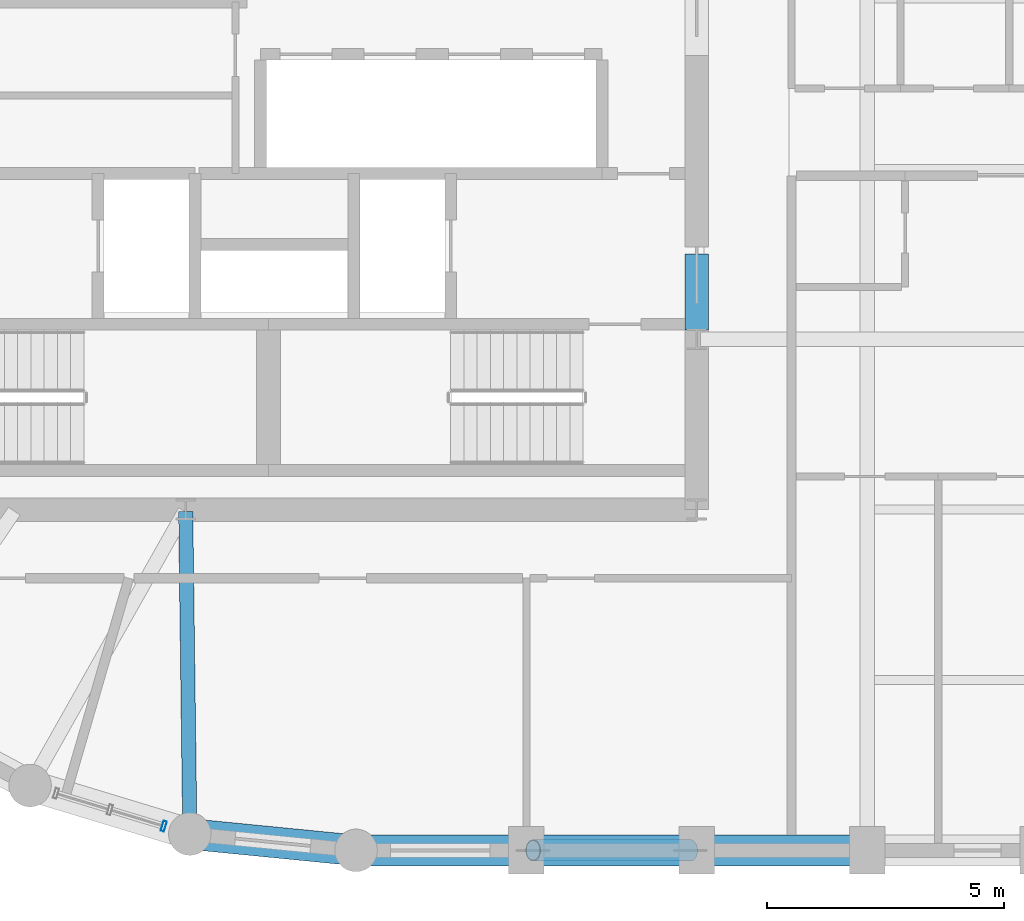
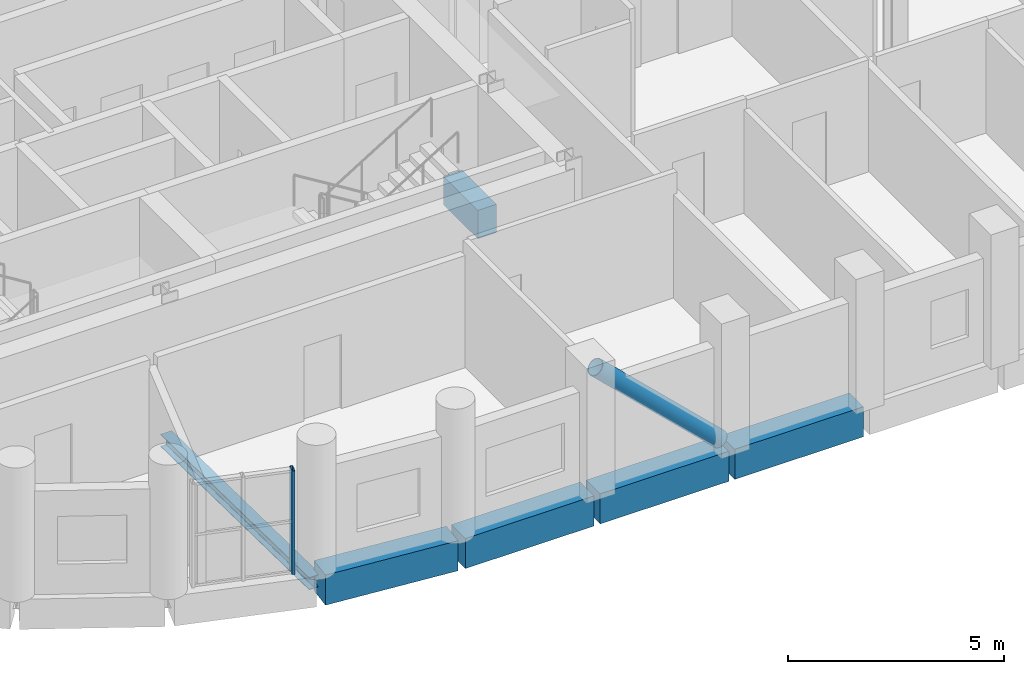
# One storey, part 4 of 15: 6 beams, 2 members, 1 element without a shape of its own.
"""IFC4 building model written with IfcOpenShell, lengths in metres."""

import ifcopenshell
import ifcopenshell.guid

model = None  # the IFC model being written
_history = None  # IfcOwnerHistory: only IFC2X3 demands one
_inside = {}  # id of a spatial element -> (the spatial element, [elements in it])
_under = {}  # id of a project, library or spatial element -> (it, [spatial elements below it])
_declared = {}  # id of a project -> (the project, [libraries it declares])
_typed = {}  # id of a type object -> (the type object, [elements of that type])
_made_of = {}  # id of a material, layer set ... -> (it, [elements and type objects made of it])


def new_model(schema):
    """Start an empty IFC model of exactly this schema.

    Asked for "IFC4X3", IfcOpenShell would pick the latest addendum, in which some entities
    have other attributes; the version numbers below select the first issue.
    IFC2X3 requires an IfcOwnerHistory on every rooted entity: one is made here for all.
    """
    global model, _history
    if schema == "IFC4X3":
        model = ifcopenshell.file(schema_version=(4, 3, 0, 0))
    else:
        model = ifcopenshell.file(schema=schema)
    _inside.clear()
    _under.clear()
    _declared.clear()
    _typed.clear()
    _made_of.clear()
    _history = None
    if model.schema == "IFC2X3":
        org = make("IfcOrganization", Name="unknown")
        user = make(
            "IfcPersonAndOrganization",
            ThePerson=make("IfcPerson", FamilyName="unknown"),
            TheOrganization=org,
        )
        app = make(
            "IfcApplication",
            ApplicationDeveloper=org,
            Version="unknown",
            ApplicationFullName="unknown",
            ApplicationIdentifier="unknown",
        )
        _history = make(
            "IfcOwnerHistory",
            OwningUser=user,
            OwningApplication=app,
            ChangeAction="ADDED",
            CreationDate=0,
        )
    return model


def make(cls, **values):
    """One entity of the class cls with the attributes given. An attribute that is None is left unset."""
    return model.create_entity(
        cls, **{name: value for name, value in values.items() if value is not None}
    )


def rooted(cls, **values):
    """An entity with a GlobalId (a new one), such as an element, a storey or a relation."""
    return make(cls, GlobalId=ifcopenshell.guid.new(), OwnerHistory=_history, **values)


def si_unit(unit_type, name, prefix=None):
    """IfcSIUnit, for example si_unit("LENGTHUNIT", "METRE", prefix="MILLI")."""
    return make("IfcSIUnit", UnitType=unit_type, Prefix=prefix, Name=name)


def assignment(units):
    """IfcUnitAssignment: the units of a project."""
    return None if units is None else make("IfcUnitAssignment", Units=units)


def point(xyz):
    """IfcCartesianPoint."""
    return None if xyz is None else make("IfcCartesianPoint", Coordinates=xyz)


def direction(xyz):
    """IfcDirection."""
    return None if xyz is None else make("IfcDirection", DirectionRatios=xyz)


def frame(location, z_axis=None, x_axis=None):
    """IfcAxis2Placement3D, a coordinate frame: its origin and axes. An axis left out is left unset."""
    return make(
        "IfcAxis2Placement3D",
        Location=point(location),
        Axis=direction(z_axis),
        RefDirection=direction(x_axis),
    )


def frame_2d(location, x_axis=None):
    """IfcAxis2Placement2D, a coordinate frame in the plane: its origin and x axis."""
    return make(
        "IfcAxis2Placement2D", Location=point(location), RefDirection=direction(x_axis)
    )


def origin():
    """The frame at (0, 0, 0) with its axes left unset."""
    return frame((0.0, 0.0, 0.0))


def origin_2d():
    """The frame at (0, 0) in the plane with its x axis left unset."""
    return frame_2d((0.0, 0.0))


def place(relative_to, where):
    """IfcLocalPlacement: puts the frame where relative to a parent placement (None: the world)."""
    return make(
        "IfcLocalPlacement", PlacementRelTo=relative_to, RelativePlacement=where
    )


def context(
    kind, dimensions, precision=None, world=None, true_north=None, identifier=None
):
    """IfcGeometricRepresentationContext, for example the 3D "Model" context."""
    return make(
        "IfcGeometricRepresentationContext",
        ContextIdentifier=identifier,
        ContextType=kind,
        CoordinateSpaceDimension=dimensions,
        Precision=precision,
        WorldCoordinateSystem=world,
        TrueNorth=true_north,
    )


def subcontext(parent, identifier, kind, view, scale=None):
    """IfcGeometricRepresentationSubContext, for example "Body" below "Model"."""
    return make(
        "IfcGeometricRepresentationSubContext",
        ContextIdentifier=identifier,
        ContextType=kind,
        ParentContext=parent,
        TargetScale=scale,
        TargetView=view,
    )


def project(units=None, contexts=None):
    """IfcProject with its units and contexts."""
    return rooted(
        "IfcProject",
        Name="project",
        RepresentationContexts=contexts,
        UnitsInContext=assignment(units),
    )


def spatial(cls, under=None, at=None, **own):
    """A site, building, storey or space (cls), placed at a placement, below another one or the project."""
    s = rooted(cls, ObjectPlacement=at, **own)
    if under is not None:
        _under.setdefault(under.id(), (under, []))[1].append(s)
    return s


def profile(cls, at=None, kind="AREA", **sizes):
    """A parametric profile (cls). Its sizes go by their IFC names, for example OverallWidth=200.0."""
    return make(cls, ProfileType=kind, Position=at, **sizes)


def rectangle(**sizes):
    """IfcRectangleProfileDef."""
    return profile("IfcRectangleProfileDef", **sizes)


def hollow_rectangle(**sizes):
    """IfcRectangleHollowProfileDef."""
    return profile("IfcRectangleHollowProfileDef", **sizes)


def hollow_circle(**sizes):
    """IfcCircleHollowProfileDef."""
    return profile("IfcCircleHollowProfileDef", **sizes)


def i_section(**sizes):
    """IfcIShapeProfileDef."""
    return profile("IfcIShapeProfileDef", **sizes)


def extrude(swept, where, along, depth):
    """IfcExtrudedAreaSolid: the profile swept, set in the frame where, extruded along a direction by depth."""
    return make(
        "IfcExtrudedAreaSolid",
        SweptArea=swept,
        Position=where,
        ExtrudedDirection=direction(along),
        Depth=depth,
    )


def shape(context_of_items, identifier, shape_type, items):
    """IfcShapeRepresentation: the items that make up one representation, for example the "Body"."""
    return make(
        "IfcShapeRepresentation",
        ContextOfItems=context_of_items,
        RepresentationIdentifier=identifier,
        RepresentationType=shape_type,
        Items=items,
    )


def material(Name=None, Category=None):
    """IfcMaterial."""
    return make("IfcMaterial", Name=Name, Category=Category)


def layer(
    of_material, thickness, ventilated=None, Name=None, Category=None, Priority=None
):
    """IfcMaterialLayer: one layer of a wall or slab, of a material (None: an air gap)."""
    return make(
        "IfcMaterialLayer",
        Material=of_material,
        LayerThickness=thickness,
        IsVentilated=ventilated,
        Name=Name,
        Category=Category,
        Priority=Priority,
    )


def layer_set(layers, Name=None):
    """IfcMaterialLayerSet."""
    return make("IfcMaterialLayerSet", MaterialLayers=layers, LayerSetName=Name)


def material_profile(
    of_material, cross_section, Name=None, Category=None, Priority=None
):
    """IfcMaterialProfile: a cross section and its material."""
    return make(
        "IfcMaterialProfile",
        Name=Name,
        Material=of_material,
        Profile=cross_section,
        Priority=Priority,
        Category=Category,
    )


def profile_set(profiles, Name=None, composite=None):
    """IfcMaterialProfileSet."""
    return make(
        "IfcMaterialProfileSet",
        Name=Name,
        MaterialProfiles=profiles,
        CompositeProfile=composite,
    )


def made_of(thing, what):
    """Note that an element or type object is made of a material, layer set ...; save() writes the relation."""
    if what is not None:
        _made_of.setdefault(what.id(), (what, []))[1].append(thing)
    return thing


def type_object(cls, material=None, **own):
    """A type object (cls), such as IfcWallType, which elements share."""
    return made_of(rooted(cls, **own), material)


def element(
    cls,
    number,
    at=None,
    inside=None,
    cuts=None,
    type_object=None,
    material=None,
    context=None,
    identifier="Body",
    shape_type=None,
    held_by="IfcProductDefinitionShape",
    body=None,
    shapes=None,
    **own,
):
    """One element of the class cls, such as IfcWall. Its Tag is "e" and its number.

    at: its placement. inside: the storey or other place that contains it. cuts: it is an
    opening in that element (IfcRelVoidsElement). A single representation is given by context,
    identifier, shape_type and body (its items); several are given by shapes. held_by: the class
    of the entity that holds the representations. save() writes the other relations.
    """
    e = rooted(cls, Tag="e%d" % number, ObjectPlacement=at, **own)
    if body is not None:
        shapes = [shape(context, identifier, shape_type, body)]
    if shapes is not None:
        e.Representation = make(held_by, Representations=shapes)
    if inside is not None:
        _inside.setdefault(inside.id(), (inside, []))[1].append(e)
    if cuts is not None:
        rooted(
            "IfcRelVoidsElement", RelatingBuildingElement=cuts, RelatedOpeningElement=e
        )
    if type_object is not None:
        _typed.setdefault(type_object.id(), (type_object, []))[1].append(e)
    return made_of(e, material)


def aggregate(whole, parts):
    """IfcRelAggregates: a whole, such as a stair, and the parts it consists of."""
    return rooted("IfcRelAggregates", RelatingObject=whole, RelatedObjects=parts)


def save(model, path):
    """Write the relations noted so far, then the file.

    IfcRelAggregates (storeys below a building ...), IfcRelContainedInSpatialStructure (elements
    in a storey), IfcRelDefinesByType, IfcRelAssociatesMaterial and IfcRelDeclares: one each for
    every whole, place, type object, material and project.
    """
    for whole, parts in _under.values():
        aggregate(whole, parts)
    for where, things in _inside.values():
        rooted(
            "IfcRelContainedInSpatialStructure",
            RelatedElements=things,
            RelatingStructure=where,
        )
    for kind, things in _typed.values():
        rooted("IfcRelDefinesByType", RelatedObjects=things, RelatingType=kind)
    for what, things in _made_of.values():
        rooted("IfcRelAssociatesMaterial", RelatedObjects=things, RelatingMaterial=what)
    for by, libraries in _declared.values():
        rooted("IfcRelDeclares", RelatingContext=by, RelatedDefinitions=libraries)
    model.write(path)


model = new_model("IFC4")

# Units and contexts
model_context = context("Model", 3, precision=1e-05, world=origin(), true_north=direction((0.0, 1.0)))
body_context = subcontext(model_context, "Body", "Model", "MODEL_VIEW")
ifc_project = project(units=[si_unit("LENGTHUNIT", "METRE"), si_unit("AREAUNIT", "SQUARE_METRE"), si_unit("VOLUMEUNIT", "CUBIC_METRE"), si_unit("PLANEANGLEUNIT", "RADIAN"), si_unit("MASSUNIT", "GRAM", prefix="KILO")], contexts=[model_context])

# Site, building, storey
site_placement = place(None, origin())
site = spatial("IfcSite", under=ifc_project, at=site_placement, CompositionType="ELEMENT")
building_placement = place(site_placement, origin())
building = spatial("IfcBuilding", under=site, at=building_placement, Name="Solnavia Interchange Tower", CompositionType="ELEMENT")
storey_placement = place(building_placement, frame((0.0, 0.0, 146.60009765625)))
storey = spatial("IfcBuildingStorey", under=building, at=storey_placement, Name="L36", CompositionType="ELEMENT", Elevation=146.60009765625)

# Beams
ifc_material_1 = material(Name="Concrete C50/60", Category="concrete")
ifc_material_profile_1 = material_profile(ifc_material_1, rectangle(XDim=0.5, YDim=0.800048828125, at=origin_2d()), Name="RC 500x800")
ifc_profile_set_1 = profile_set([ifc_material_profile_1], Name="Concrete C50/60")
beam_type_1 = type_object("IfcBeamType", Name="Beam-Coupling-RC500x800", PredefinedType="LINTEL", material=ifc_profile_set_1)
beam_1_placement = place(storey_placement, frame((32.39990234375, 14.60009765625, -0.400146484375), z_axis=(0.0, 1.0, 0.0), x_axis=(-1.0, 0.0, 0.0)))
element("IfcBeam", 1, at=beam_1_placement, inside=storey, type_object=beam_type_1, Name="CPB-L36-E1 Core coupling lintel beam", PredefinedType="LINTEL", context=body_context, shape_type="SweptSolid", body=[
    extrude(rectangle(XDim=0.5, YDim=0.800048828125, at=origin_2d()), origin(), (0.0, 0.0, 1.0), 1.599853515625),
])
ifc_material_2 = material(Name="Steel S355", Category="steel")
ifc_material_profile_2 = material_profile(ifc_material_2, i_section(OverallWidth=0.300048828125, OverallDepth=0.35009765625, WebThickness=0.010009765625, FlangeThickness=0.017578125, FilletRadius=0.027099609375, at=origin_2d()), Name="HEA 360")
ifc_profile_set_2 = profile_set([ifc_material_profile_2], Name="Steel S355")
beam_type_2 = type_object("IfcBeamType", Name="Beam-Primary-HEA360", PredefinedType="BEAM", material=ifc_profile_set_2)
beam_2_placement = place(storey_placement, frame((21.68701171875, 4.02587890625, -0.425048828125), z_axis=(-0.01283293513, 0.999917654498, 0.0), x_axis=(-0.999917654498, -0.01283293513, 0.0)))
element("IfcBeam", 2, at=beam_2_placement, inside=storey, type_object=beam_type_2, Name="GRD-L36-DR20 Drum radial floor girder", PredefinedType="BEAM", context=body_context, shape_type="SweptSolid", body=[
    extrude(i_section(OverallWidth=0.300048828125, OverallDepth=0.35009765625, WebThickness=0.010009765625, FlangeThickness=0.017578125, FilletRadius=0.027099609375, at=origin_2d()), origin(), (0.0, 0.0, 1.0), 6.734619140625),
])
ifc_material_profile_3 = material_profile(ifc_material_1, rectangle(XDim=0.64990234375, YDim=0.85009765625, at=origin_2d()), Name="RC 650x850")
ifc_profile_set_3 = profile_set([ifc_material_profile_3], Name="Concrete C50/60")
beam_type_3 = type_object("IfcBeamType", Name="Beam-Spandrel-RC650x850", PredefinedType="SPANDREL", material=ifc_profile_set_3)
beam_3_placement = place(storey_placement, frame((21.767578125, 3.938232421875, -0.425048828125), z_axis=(0.995181774609, -0.098047108501, 0.0), x_axis=(0.098047108501, 0.995181774609, 0.0)))
element("IfcBeam", 3, at=beam_3_placement, inside=storey, type_object=beam_type_3, Name="SPB-L36-08 Framed-tube perimeter spandrel beam", PredefinedType="SPANDREL", context=body_context, shape_type="SweptSolid", body=[
    extrude(rectangle(XDim=0.64990234375, YDim=0.85009765625, at=origin_2d()), origin(), (0.0, 0.0, 1.0), 3.368896484375),
])
beam_4_placement = place(storey_placement, frame((25.280029296875, 3.60009765625, -0.425048828125), z_axis=(1.0, 0.0, 0.0), x_axis=(0.0, 1.0, 0.0)))
element("IfcBeam", 4, at=beam_4_placement, inside=storey, type_object=beam_type_3, Name="SPB-L36-09 Framed-tube perimeter spandrel beam", PredefinedType="SPANDREL", context=body_context, shape_type="SweptSolid", body=[
    extrude(rectangle(XDim=0.64990234375, YDim=0.85009765625, at=origin_2d()), origin(), (0.0, 0.0, 1.0), 3.43994140625),
])
beam_5_placement = place(storey_placement, frame((28.8798828125, 3.60009765625, -0.425048828125), z_axis=(1.0, 0.0, 0.0), x_axis=(0.0, 1.0, 0.0)))
element("IfcBeam", 5, at=beam_5_placement, inside=storey, type_object=beam_type_3, Name="SPB-L36-10 Framed-tube perimeter spandrel beam", PredefinedType="SPANDREL", context=body_context, shape_type="SweptSolid", body=[
    extrude(rectangle(XDim=0.64990234375, YDim=0.85009765625, at=origin_2d()), origin(), (0.0, 0.0, 1.0), 3.440185546875),
])
beam_6_placement = place(storey_placement, frame((32.47998046875, 3.60009765625, -0.425048828125), z_axis=(1.0, 0.0, 0.0), x_axis=(0.0, 1.0, 0.0)))
element("IfcBeam", 6, at=beam_6_placement, inside=storey, type_object=beam_type_3, Name="SPB-L36-11 Framed-tube perimeter spandrel beam", PredefinedType="SPANDREL", context=body_context, shape_type="SweptSolid", body=[
    extrude(rectangle(XDim=0.64990234375, YDim=0.85009765625, at=origin_2d()), origin(), (0.0, 0.0, 1.0), 3.43994140625),
])

# Member
ifc_material_3 = material(Name="Steel S460", Category="steel")
ifc_material_profile_4 = material_profile(ifc_material_3, hollow_circle(Radius=0.228515625, WallThickness=0.02001953125, at=origin_2d()), Name="CHS 457x20")
ifc_profile_set_4 = profile_set([ifc_material_profile_4], Name="Steel S460")
member_type_1 = type_object("IfcMemberType", Name="Brace-Perim-CHS457", PredefinedType="BRACE", material=ifc_profile_set_4)
member_1_placement = place(storey_placement, frame((32.260009765625, 3.60009765625, 0.179931640625), z_axis=(-0.721096918576, 0.0, 0.692834203847), x_axis=(0.0, -1.0, 0.0)))
element("IfcMember", 7, at=member_1_placement, inside=storey, type_object=member_type_1, Name="BRC-L36-01 Perimeter tube diagonal brace", PredefinedType="BRACE", context=body_context, shape_type="SweptSolid", body=[
    extrude(hollow_circle(Radius=0.228515625, WallThickness=0.02001953125, at=origin_2d()), origin(), (0.0, 0.0, 1.0), 4.604248046875),
])

# Curtain wall, member
ifc_material_4 = material(Name="Aluminium Alloy 6063-T6", Category="aluminium")
ifc_layer = layer(ifc_material_4, 0.239990234375)
ifc_layer_set = layer_set([ifc_layer], Name="Aluminium Alloy 6063-T6")
curtain_wall_type = type_object("IfcCurtainWallType", Name="CurtainWall-Drum-CTW2", PredefinedType="NOTDEFINED", material=ifc_layer_set)
curtain_wall_placement = place(storey_placement, origin())
curtain_wall = element("IfcCurtainWall", 8, at=curtain_wall_placement, inside=storey, type_object=curtain_wall_type, Name="CTW-L36-D57 CTW-2 curtain wall", PredefinedType="NOTDEFINED")
ifc_material_profile_5 = material_profile(ifc_material_4, hollow_rectangle(XDim=0.074951171875, YDim=0.219970703125, WallThickness=0.0048828125, at=origin_2d()), Name="ALU 220x75x5")
ifc_profile_set_5 = profile_set([ifc_material_profile_5], Name="Aluminium Alloy 6063-T6")
member_type_2 = type_object("IfcMemberType", Name="CW-Mullion-CWM-2", PredefinedType="MULLION", material=ifc_profile_set_5)
member_2_placement = place(storey_placement, frame((21.1376953125, 4.11279296875, 0.0), z_axis=(0.0, 0.0, 1.0), x_axis=(0.956942072515, -0.290278951786, 0.0)))
member_2 = element("IfcMember", 9, at=member_2_placement, type_object=member_type_2, Name="CTW-2 mullion 3", PredefinedType="MULLION", context=body_context, shape_type="SweptSolid", body=[
    extrude(hollow_rectangle(XDim=0.074951171875, YDim=0.219970703125, WallThickness=0.0048828125, at=origin_2d()), origin(), (0.0, 0.0, 1.0), 2.929931640625),
])
aggregate(curtain_wall, [member_2])

save(model, "model.ifc")
